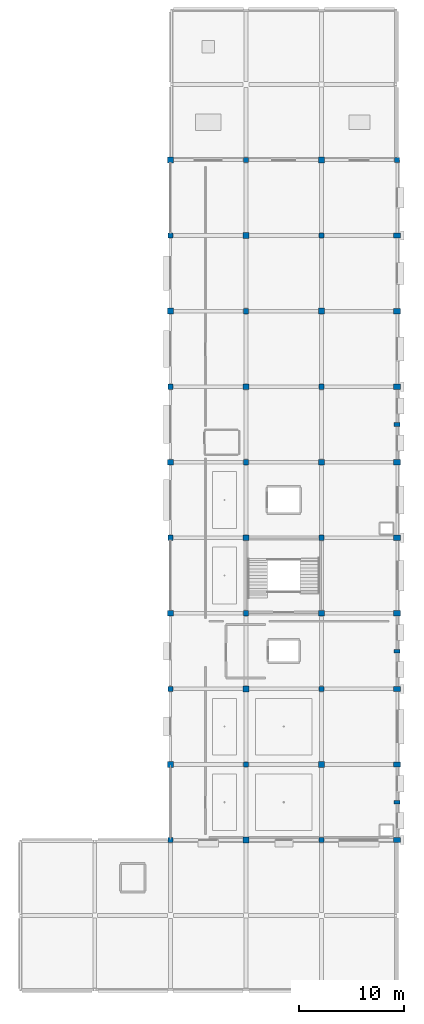
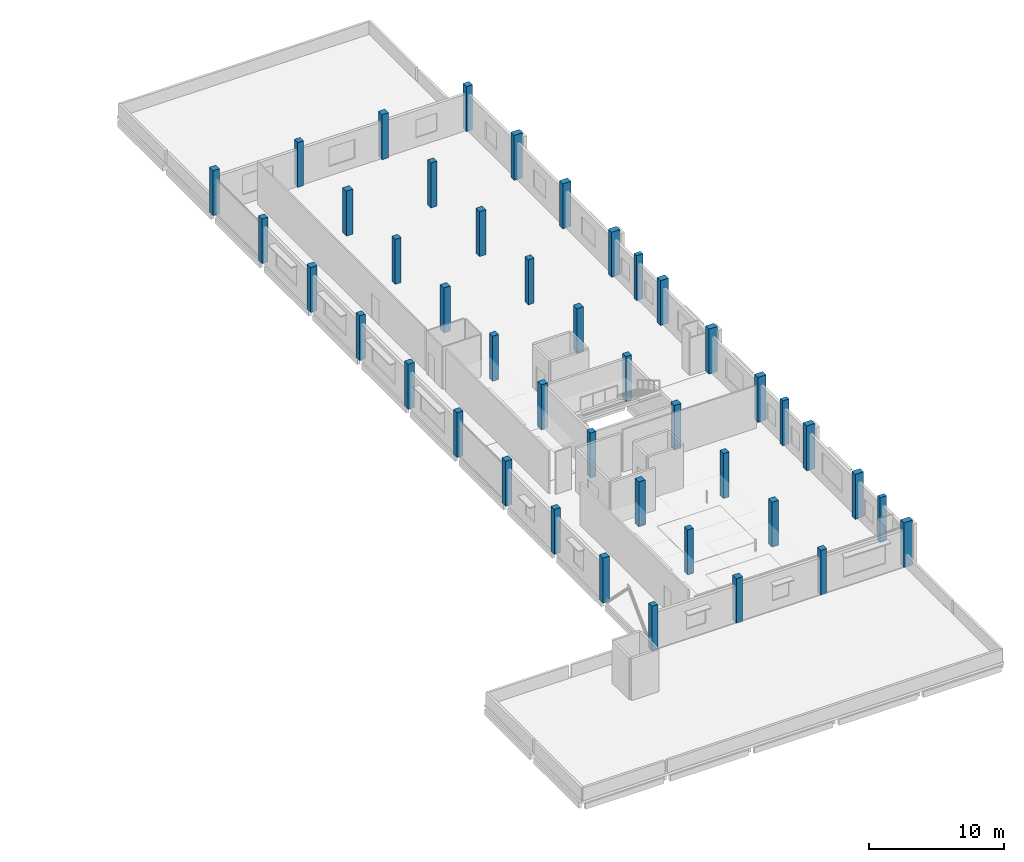
# One storey, part 2 of 26: 43 columns.
"""IFC4 building model written with IfcOpenShell, lengths in metres."""

from ifc_helpers import new_model, si_unit, direction, frame, origin, origin_2d, place, context, subcontext, project, spatial, rectangle, extrude, material, material_profile, profile_set, type_object, element, save


model = new_model("IFC4")

# Units and contexts
model_context = context("Model", 3, precision=1e-05, world=origin(), true_north=direction((0.0, 1.0)))
body_context = subcontext(model_context, "Body", "Model", "MODEL_VIEW")
ifc_project = project(units=[si_unit("LENGTHUNIT", "METRE"), si_unit("AREAUNIT", "SQUARE_METRE"), si_unit("VOLUMEUNIT", "CUBIC_METRE"), si_unit("PLANEANGLEUNIT", "RADIAN"), si_unit("MASSUNIT", "GRAM", prefix="KILO")], contexts=[model_context])

# Site, building, storey
site_placement = place(None, origin())
site = spatial("IfcSite", under=ifc_project, at=site_placement, CompositionType="ELEMENT")
building_placement = place(site_placement, origin())
building = spatial("IfcBuilding", under=site, at=building_placement, Name="Kangsadwip Square Police Headquarters", CompositionType="ELEMENT")
storey_placement = place(building_placement, frame((0.0, 0.0, 25.64990234375)))
storey = spatial("IfcBuildingStorey", under=building, at=storey_placement, Name="L06", CompositionType="ELEMENT", Elevation=25.64990234375)

# Columns
ifc_material_1 = material(Name="Concrete M35 (35 MPa)", Category="concrete")
ifc_material_profile_1 = material_profile(ifc_material_1, rectangle(XDim=0.5, YDim=0.5, at=origin_2d()), Name="RC COL 500X500")
ifc_profile_set_1 = profile_set([ifc_material_profile_1], Name="Concrete M35 (35 MPa)")
column_type_1 = type_object("IfcColumnType", Name="RcCol500x500", PredefinedType="COLUMN", material=ifc_profile_set_1)
for number, where, z_axis, x_axis, name in (
    (1, (144.0, 36.0, 0.0), (0.0, 0.0, 1.0), (1.0, 0.0, 0.0), "Column COL-L06-20-05"),
    (2, (144.0, 50.39990234375, 0.0), (0.0, 0.0, 1.0), (1.0, 0.0, 0.0), "Column COL-L06-20-07"),
    (3, (144.0, 64.800048828125, 0.0), (0.0, 0.0, 1.0), (1.0, 0.0, 0.0), "Column COL-L06-20-09"),
    (4, (144.0, 79.199951171875, 0.0), (0.0, 0.0, 1.0), (1.0, 0.0, 0.0), "Column COL-L06-20-11"),
    (5, (144.0, 93.60009765625, 0.0), (0.0, 0.0, 1.0), (1.0, 0.0, 0.0), "Column COL-L06-20-13"),
    (6, (151.199951171875, 43.199951171875, 0.0), (0.0, 0.0, 1.0), (1.0, 0.0, 0.0), "Column COL-L06-21-06"),
    (7, (151.199951171875, 57.60009765625, 0.0), (0.0, 0.0, 1.0), (1.0, 0.0, 0.0), "Column COL-L06-21-08"),
    (8, (151.199951171875, 72.0, 0.0), (0.0, 0.0, 1.0), (1.0, 0.0, 0.0), "Column COL-L06-21-10"),
    (9, (151.199951171875, 86.39990234375, 0.0), (0.0, 0.0, 1.0), (1.0, 0.0, 0.0), "Column COL-L06-21-12"),
    (10, (151.199951171875, 100.800048828125, 0.0), (0.0, 0.0, 1.0), (1.0, 0.0, 0.0), "Column COL-L06-21-14"),
    (11, (158.39990234375, 36.0, 0.0), (0.0, 0.0, 1.0), (1.0, 0.0, 0.0), "Column COL-L06-22-05"),
    (12, (158.39990234375, 50.39990234375, 0.0), (0.0, 0.0, 1.0), (1.0, 0.0, 0.0), "Column COL-L06-22-07"),
    (13, (158.39990234375, 64.800048828125, 0.0), (0.0, 0.0, 1.0), (1.0, 0.0, 0.0), "Column COL-L06-22-09"),
    (14, (158.39990234375, 79.199951171875, 0.0), (0.0, 0.0, 1.0), (1.0, 0.0, 0.0), "Column COL-L06-22-11"),
    (15, (158.39990234375, 93.60009765625, 0.0), (0.0, 0.0, 1.0), (1.0, 0.0, 0.0), "Column COL-L06-22-13"),
    (16, (165.60009765625, 100.800048828125, 0.0), (0.0, 0.0, 1.0), (1.0, 0.0, 0.0), "Column COL-L06-23-14"),
):
    element("IfcColumn", number, at=place(storey_placement, frame(where, z_axis=z_axis, x_axis=x_axis)), inside=storey, type_object=column_type_1, Name=name, PredefinedType="COLUMN", context=body_context, shape_type="SweptSolid", body=[
        extrude(rectangle(XDim=0.5, YDim=0.5, at=origin_2d()), origin(), (0.0, 0.0, 1.0), 4.050048828125),
    ])
ifc_material_2 = material(Name="Concrete M35 (35 MPa)", Category="concrete")
ifc_material_profile_2 = material_profile(ifc_material_2, rectangle(XDim=0.550048828125, YDim=0.550048828125, at=origin_2d()), Name="RC COL 550X550")
ifc_profile_set_2 = profile_set([ifc_material_profile_2], Name="Concrete M35 (35 MPa)")
column_type_2 = type_object("IfcColumnType", Name="RcCol550x550", PredefinedType="COLUMN", material=ifc_profile_set_2)
for number, where, z_axis, x_axis, name in (
    (17, (144.0, 43.199951171875, 0.0), (0.0, 0.0, 1.0), (1.0, 0.0, 0.0), "Column COL-L06-20-06"),
    (18, (144.0, 57.60009765625, 0.0), (0.0, 0.0, 1.0), (1.0, 0.0, 0.0), "Column COL-L06-20-08"),
    (19, (144.0, 72.0, 0.0), (0.0, 0.0, 1.0), (1.0, 0.0, 0.0), "Column COL-L06-20-10"),
    (20, (144.0, 86.39990234375, 0.0), (0.0, 0.0, 1.0), (1.0, 0.0, 0.0), "Column COL-L06-20-12"),
    (21, (144.0, 100.800048828125, 0.0), (0.0, 0.0, 1.0), (1.0, 0.0, 0.0), "Column COL-L06-20-14"),
    (22, (151.199951171875, 36.0, 0.0), (0.0, 0.0, 1.0), (1.0, 0.0, 0.0), "Column COL-L06-21-05"),
    (23, (151.199951171875, 50.39990234375, 0.0), (0.0, 0.0, 1.0), (1.0, 0.0, 0.0), "Column COL-L06-21-07"),
    (24, (151.199951171875, 64.800048828125, 0.0), (0.0, 0.0, 1.0), (1.0, 0.0, 0.0), "Column COL-L06-21-09"),
    (25, (151.199951171875, 79.199951171875, 0.0), (0.0, 0.0, 1.0), (1.0, 0.0, 0.0), "Column COL-L06-21-11"),
    (26, (151.199951171875, 93.60009765625, 0.0), (0.0, 0.0, 1.0), (1.0, 0.0, 0.0), "Column COL-L06-21-13"),
    (27, (158.39990234375, 43.199951171875, 0.0), (0.0, 0.0, 1.0), (1.0, 0.0, 0.0), "Column COL-L06-22-06"),
    (28, (158.39990234375, 57.60009765625, 0.0), (0.0, 0.0, 1.0), (1.0, 0.0, 0.0), "Column COL-L06-22-08"),
    (29, (158.39990234375, 72.0, 0.0), (0.0, 0.0, 1.0), (1.0, 0.0, 0.0), "Column COL-L06-22-10"),
    (30, (158.39990234375, 86.39990234375, 0.0), (0.0, 0.0, 1.0), (1.0, 0.0, 0.0), "Column COL-L06-22-12"),
    (31, (158.39990234375, 100.800048828125, 0.0), (0.0, 0.0, 1.0), (1.0, 0.0, 0.0), "Column COL-L06-22-14"),
):
    element("IfcColumn", number, at=place(storey_placement, frame(where, z_axis=z_axis, x_axis=x_axis)), inside=storey, type_object=column_type_2, Name=name, PredefinedType="COLUMN", context=body_context, shape_type="SweptSolid", body=[
        extrude(rectangle(XDim=0.550048828125, YDim=0.550048828125, at=origin_2d()), origin(), (0.0, 0.0, 1.0), 4.050048828125),
    ])
ifc_material_3 = material(Name="Concrete M35 (35 MPa)", Category="concrete")
ifc_material_profile_3 = material_profile(ifc_material_3, rectangle(XDim=0.5, YDim=0.699951171875, at=origin_2d()), Name="RC COL 700X500")
ifc_profile_set_3 = profile_set([ifc_material_profile_3], Name="Concrete M35 (35 MPa)")
column_type_3 = type_object("IfcColumnType", Name="RcCol700x500", PredefinedType="COLUMN", material=ifc_profile_set_3)
for number, where, z_axis, x_axis, name in (
    (32, (165.60009765625, 36.0, 0.0), (0.0, 0.0, 1.0), (0.0, 1.0, 0.0), "Column COL-L06-23-05"),
    (33, (165.60009765625, 43.199951171875, 0.0), (0.0, 0.0, 1.0), (0.0, 1.0, 0.0), "Column COL-L06-23-06"),
    (34, (165.60009765625, 50.39990234375, 0.0), (0.0, 0.0, 1.0), (0.0, 1.0, 0.0), "Column COL-L06-23-07"),
    (35, (165.60009765625, 57.60009765625, 0.0), (0.0, 0.0, 1.0), (0.0, 1.0, 0.0), "Column COL-L06-23-08"),
    (36, (165.60009765625, 64.800048828125, 0.0), (0.0, 0.0, 1.0), (0.0, 1.0, 0.0), "Column COL-L06-23-09"),
    (37, (165.60009765625, 72.0, 0.0), (0.0, 0.0, 1.0), (0.0, 1.0, 0.0), "Column COL-L06-23-10"),
    (38, (165.60009765625, 79.199951171875, 0.0), (0.0, 0.0, 1.0), (0.0, 1.0, 0.0), "Column COL-L06-23-11"),
    (39, (165.60009765625, 86.39990234375, 0.0), (0.0, 0.0, 1.0), (0.0, 1.0, 0.0), "Column COL-L06-23-12"),
    (40, (165.60009765625, 93.60009765625, 0.0), (0.0, 0.0, 1.0), (0.0, 1.0, 0.0), "Column COL-L06-23-13"),
):
    element("IfcColumn", number, at=place(storey_placement, frame(where, z_axis=z_axis, x_axis=x_axis)), inside=storey, type_object=column_type_3, Name=name, PredefinedType="COLUMN", context=body_context, shape_type="SweptSolid", body=[
        extrude(rectangle(XDim=0.5, YDim=0.699951171875, at=origin_2d()), origin(), (0.0, 0.0, 1.0), 4.050048828125),
    ])
ifc_material_4 = material(Name="Concrete M35 (35 MPa)", Category="concrete")
ifc_material_profile_4 = material_profile(ifc_material_4, rectangle(XDim=0.35009765625, YDim=0.550048828125, at=origin_2d()), Name="RC PIL 550X350")
ifc_profile_set_4 = profile_set([ifc_material_profile_4], Name="Concrete M35 (35 MPa)")
column_type_4 = type_object("IfcColumnType", Name="RcPil550x350", PredefinedType="PILASTER", material=ifc_profile_set_4)
for number, where, z_axis, x_axis, name in (
    (41, (165.60009765625, 39.60009765625, 0.0), (0.0, 0.0, 1.0), (0.0, 1.0, 0.0), "Colonnade Pilaster PIL-L06-035"),
    (42, (165.60009765625, 54.0, 0.0), (0.0, 0.0, 1.0), (0.0, 1.0, 0.0), "Colonnade Pilaster PIL-L06-043"),
    (43, (165.60009765625, 75.60009765625, 0.0), (0.0, 0.0, 1.0), (0.0, 1.0, 0.0), "Colonnade Pilaster PIL-L06-051"),
):
    element("IfcColumn", number, at=place(storey_placement, frame(where, z_axis=z_axis, x_axis=x_axis)), inside=storey, type_object=column_type_4, Name=name, PredefinedType="PILASTER", context=body_context, shape_type="SweptSolid", body=[
        extrude(rectangle(XDim=0.35009765625, YDim=0.550048828125, at=origin_2d()), origin(), (0.0, 0.0, 1.0), 4.050048828125),
    ])

save(model, "model.ifc")
